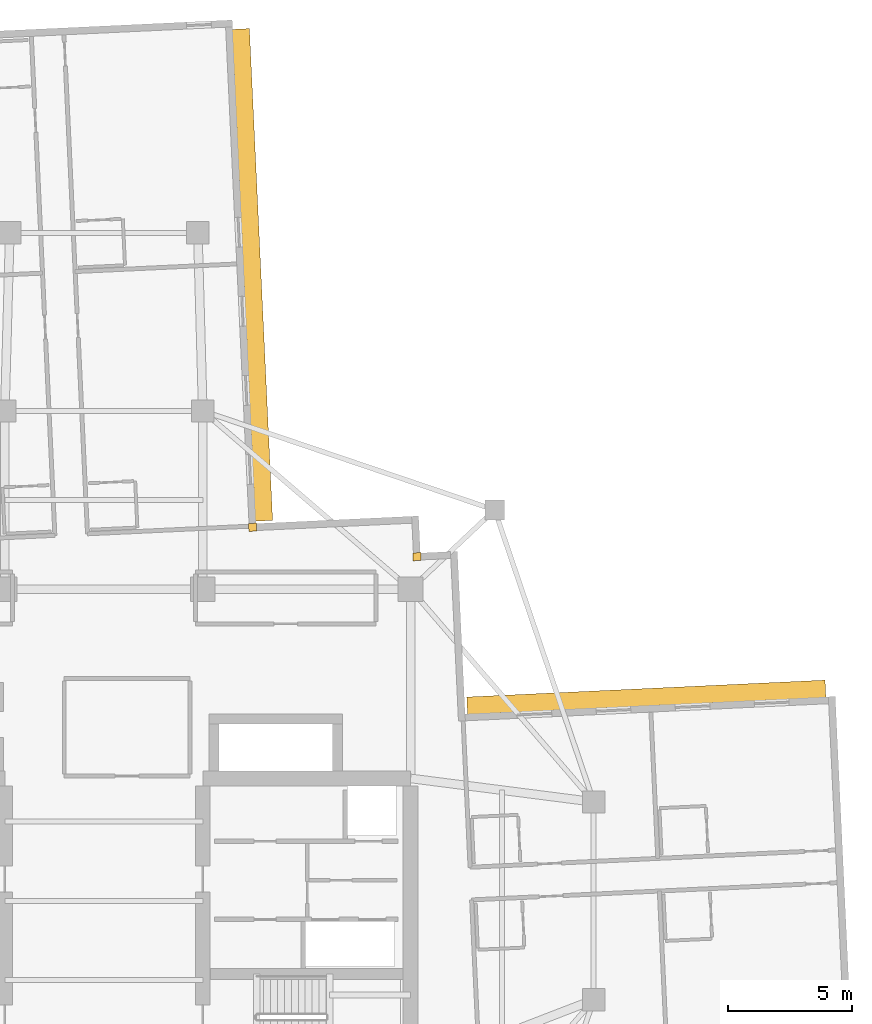
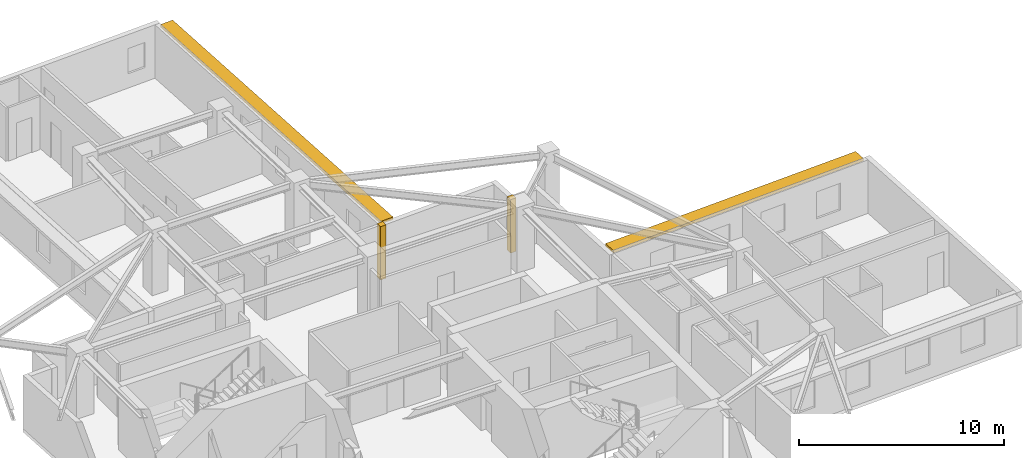
# One storey, part 12 of 12: 2 coverings, 2 shading devices.
"""IFC4 building model written with IfcOpenShell, lengths in metres."""

from ifc_helpers import new_model, si_unit, direction, frame, origin, origin_2d, place, context, subcontext, project, spatial, rectangle, extrude, material, layer, layer_set, type_object, element, save


model = new_model("IFC4")

# Units and contexts
model_context = context("Model", 3, precision=1e-05, world=origin(), true_north=direction((0.0, 1.0)))
body_context = subcontext(model_context, "Body", "Model", "MODEL_VIEW")
ifc_project = project(units=[si_unit("LENGTHUNIT", "METRE"), si_unit("AREAUNIT", "SQUARE_METRE"), si_unit("VOLUMEUNIT", "CUBIC_METRE"), si_unit("PLANEANGLEUNIT", "RADIAN"), si_unit("MASSUNIT", "GRAM", prefix="KILO")], contexts=[model_context])

# Site, building, storey
site_placement = place(None, origin())
site = spatial("IfcSite", under=ifc_project, at=site_placement, CompositionType="ELEMENT")
building_placement = place(site_placement, origin())
building = spatial("IfcBuilding", under=site, at=building_placement, Name="Qingluan Cross Belvedere", CompositionType="ELEMENT")
storey_placement = place(building_placement, frame((0.0, 0.0, 213.0)))
storey = spatial("IfcBuildingStorey", under=building, at=storey_placement, Name="L53", CompositionType="ELEMENT", Elevation=213.0)

# Coverings
ifc_material_1 = material(Name="Precast concrete C45", Category="concrete")
ifc_layer_1 = layer(ifc_material_1, 0.1201171875, Name="ConcreteSpandrelCladding_120")
ifc_layer_set_1 = layer_set([ifc_layer_1], Name="Precast concrete C45")
covering_type = type_object("IfcCoveringType", Name="ConcreteSpandrelCladding_120", PredefinedType="CLADDING", material=ifc_layer_set_1)
for number, where, z_axis, x_axis, name in (
    (1, (12.65869140625, 13.911865234375, 0.0), (0.0, 0.0, 1.0), (0.998889874962, 0.04710645071, 0.0), "Corner closure L53-NE1"),
    (2, (6.015380859375, 15.10009765625, 0.0), (0.0, 0.0, 1.0), (0.998889874962, 0.04710645071, 0.0), "Corner closure L53-NE2"),
):
    element("IfcCovering", number, at=place(storey_placement, frame(where, z_axis=z_axis, x_axis=x_axis)), inside=storey, type_object=covering_type, Name=name, PredefinedType="CLADDING", context=body_context, shape_type="SweptSolid", body=[
        extrude(rectangle(XDim=0.320068359375, YDim=0.320068359375, at=origin_2d()), origin(), (0.0, 0.0, 1.0), 3.179931640625),
    ])

# Shading devices
ifc_material_2 = material(Name="Precast concrete C45", Category="concrete")
ifc_layer_2 = layer(ifc_material_2, 0.139892578125, Name="ConcreteSunshadeBand_700")
ifc_layer_set_2 = layer_set([ifc_layer_2], Name="Precast concrete C45")
shading_device_type = type_object("IfcShadingDeviceType", Name="ConcreteSunshadeBand_700", PredefinedType="USERDEFINED", material=ifc_layer_set_2)
shading_device_1_placement = place(storey_placement, frame((21.926513671875, 8.23193359375, 3.0), z_axis=(0.0, 0.0, 1.0), x_axis=(-0.998889750114, -0.047109098032, 0.0)))
element("IfcShadingDevice", 3, at=shading_device_1_placement, inside=storey, type_object=shading_device_type, Name="Concrete SUNSHADE L53-EB", ObjectType="SUNSHADE", PredefinedType="USERDEFINED", context=body_context, shape_type="SweptSolid", body=[
    extrude(rectangle(XDim=14.5, YDim=0.699951171875, at=origin_2d()), origin(), (0.0, 0.0, 1.0), 0.159912109375),
])
shading_device_2_placement = place(storey_placement, frame((6.0048828125, 25.301025390625, 3.0), z_axis=(0.0, 0.0, 1.0), x_axis=(-0.04710941444, 0.998889735192, 0.0)))
element("IfcShadingDevice", 4, at=shading_device_2_placement, inside=storey, type_object=shading_device_type, Name="Concrete SUNSHADE L53-NA", ObjectType="SUNSHADE", PredefinedType="USERDEFINED", context=body_context, shape_type="SweptSolid", body=[
    extrude(rectangle(XDim=19.89990234375, YDim=0.699951171875, at=origin_2d()), origin(), (0.0, 0.0, 1.0), 0.159912109375),
])

save(model, "model.ifc")
